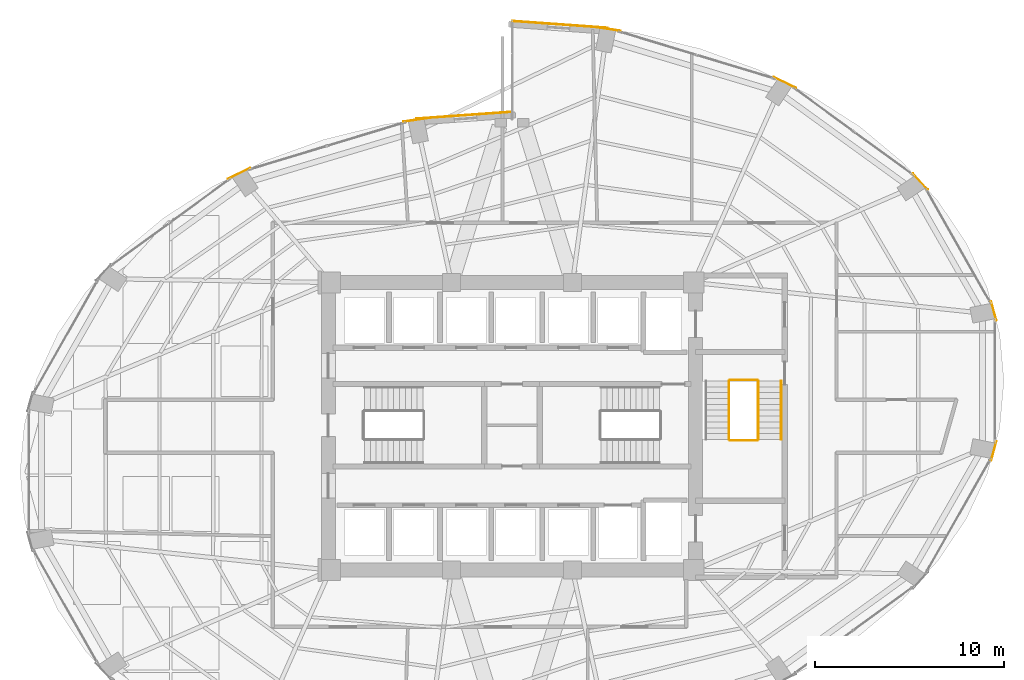
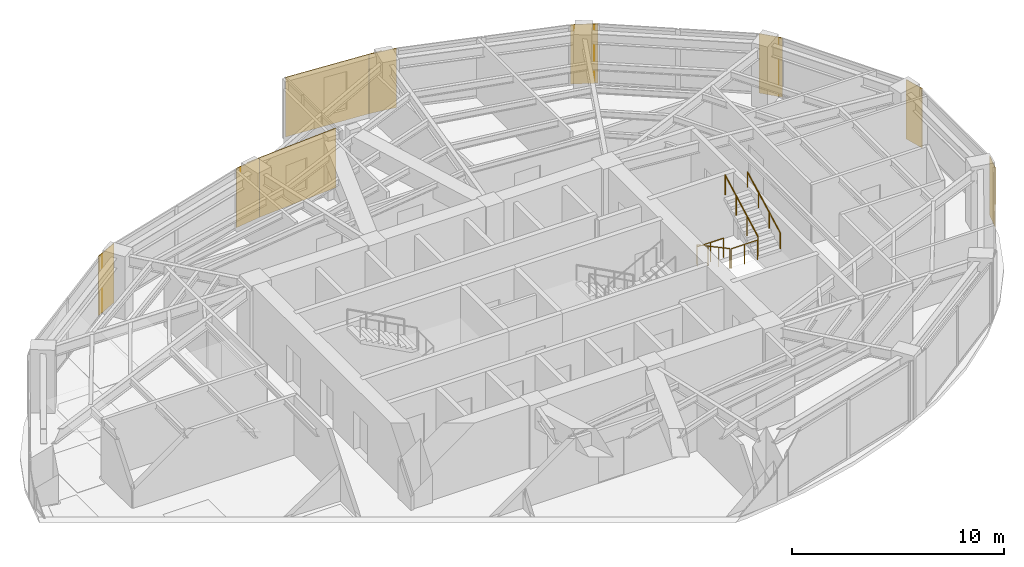
# One storey, part 24 of 24: 9 coverings, 5 railings.
"""IFC4 building model written with IfcOpenShell, lengths in metres."""

from ifc_helpers import new_model, si_unit, direction, frame, origin, origin_2d, place, context, subcontext, project, spatial, rectangle, circle, extrude, material, layer, layer_set, type_object, element, save


model = new_model("IFC4")

# Units and contexts
model_context = context("Model", 3, precision=1e-05, world=origin(), true_north=direction((0.0, 1.0)))
body_context = subcontext(model_context, "Body", "Model", "MODEL_VIEW")
ifc_project = project(units=[si_unit("LENGTHUNIT", "METRE"), si_unit("AREAUNIT", "SQUARE_METRE"), si_unit("VOLUMEUNIT", "CUBIC_METRE"), si_unit("PLANEANGLEUNIT", "RADIAN"), si_unit("MASSUNIT", "GRAM", prefix="KILO")], contexts=[model_context])

# Site, building, storey
site_placement = place(None, origin())
site = spatial("IfcSite", under=ifc_project, at=site_placement, CompositionType="ELEMENT")
building_placement = place(site_placement, origin())
building = spatial("IfcBuilding", under=site, at=building_placement, Name="Lazwardi Medical Tower", CompositionType="ELEMENT")
storey_placement = place(building_placement, frame((0.0, 0.0, 103.632080078125)))
storey = spatial("IfcBuildingStorey", under=building, at=storey_placement, Name="L26", CompositionType="ELEMENT", Elevation=103.632080078125)

# Coverings
ifc_material_1 = material(Name="Anodised bronze aluminium cassette cladding", Category="aluminium")
ifc_layer_1 = layer(ifc_material_1, 0.030029296875)
ifc_layer_set_1 = layer_set([ifc_layer_1], Name="Anodised bronze aluminium cassette cladding")
covering_type_1 = type_object("IfcCoveringType", Name="COV-CLD-BRZ", PredefinedType="CLADDING", material=ifc_layer_set_1)
for number, where, z_axis, x_axis, name in (
    (1, (61.459716796875, 26.700927734375, 0.0), (0.0, 0.0, 1.0), (0.262696108164, 0.964878621774, 0.0), "L26 Mega-column bronze cassette cover M04"),
    (2, (61.459716796875, 34.09912109375, 0.0), (0.0, 0.0, 1.0), (-0.262696108164, 0.964878621774, 0.0), "L26 Mega-column bronze cassette cover M05"),
):
    element("IfcCovering", number, at=place(storey_placement, frame(where, z_axis=z_axis, x_axis=x_axis)), inside=storey, type_object=covering_type_1, Name=name, PredefinedType="CLADDING", context=body_context, shape_type="SweptSolid", body=[
        extrude(rectangle(XDim=1.04296875, YDim=0.030029296875, at=origin_2d()), origin(), (0.0, 0.0, 1.0), 3.427978515625),
    ])
covering_1_placement = place(storey_placement, frame((57.583740234375, 40.93408203125, 0.0), z_axis=(0.0, 0.0, 1.0), x_axis=(-0.674925949214, 0.737885467453, 0.0)))
element("IfcCovering", 3, at=covering_1_placement, inside=storey, type_object=covering_type_1, Name="L26 Mega-column bronze cassette cover M06", PredefinedType="CLADDING", context=body_context, shape_type="SweptSolid", body=[
    extrude(rectangle(XDim=1.15625, YDim=0.030029296875, at=origin_2d()), origin(), (0.0, 0.0, 1.0), 3.427978515625),
])
covering_2_placement = place(storey_placement, frame((50.421875, 46.16552734375, 0.0), z_axis=(0.0, 0.0, 1.0), x_axis=(-0.898679250201, 0.438606435495, 0.0)))
element("IfcCovering", 4, at=covering_2_placement, inside=storey, type_object=covering_type_1, Name="L26 Mega-column bronze cassette cover M07", PredefinedType="CLADDING", context=body_context, shape_type="SweptSolid", body=[
    extrude(rectangle(XDim=1.2998046875, YDim=0.030029296875, at=origin_2d()), origin(), (0.0, 0.0, 1.0), 3.427978515625),
])
for number, where, z_axis, x_axis, name in (
    (5, (41.064208984375, 48.99658203125, 0.0), (0.0, 0.0, 1.0), (-0.989609019093, 0.143784523955, 0.0), "L26 Mega-column bronze cassette cover M08"),
    (6, (30.935791015625, 44.19677734375, 0.0), (0.0, 0.0, 1.0), (-0.989609019093, -0.143784523955, 0.0), "L26 Mega-column bronze cassette cover M09"),
):
    element("IfcCovering", number, at=place(storey_placement, frame(where, z_axis=z_axis, x_axis=x_axis)), inside=storey, type_object=covering_type_1, Name=name, PredefinedType="CLADDING", context=body_context, shape_type="SweptSolid", body=[
        extrude(rectangle(XDim=1.392333984375, YDim=0.030029296875, at=origin_2d()), origin(), (0.0, 0.0, 1.0), 3.427978515625),
    ])
covering_3_placement = place(storey_placement, frame((21.578125, 41.365478515625, 0.0), z_axis=(0.0, 0.0, 1.0), x_axis=(-0.898679250201, -0.438606435495, 0.0)))
element("IfcCovering", 7, at=covering_3_placement, inside=storey, type_object=covering_type_1, Name="L26 Mega-column bronze cassette cover M10", PredefinedType="CLADDING", context=body_context, shape_type="SweptSolid", body=[
    extrude(rectangle(XDim=1.2998046875, YDim=0.030029296875, at=origin_2d()), origin(), (0.0, 0.0, 1.0), 3.427978515625),
])
ifc_material_2 = material(Name="Turquoise glazed ceramic tilework cladding", Category="masonry")
ifc_layer_2 = layer(ifc_material_2, 0.034912109375)
ifc_layer_set_2 = layer_set([ifc_layer_2], Name="Turquoise glazed ceramic tilework cladding")
covering_type_2 = type_object("IfcCoveringType", Name="COV-CLD-TRQ", PredefinedType="CLADDING", material=ifc_layer_set_2)
covering_4_placement = place(storey_placement, frame((38.533203125, 49.23388671875, 0.0), z_axis=(0.0, 0.0, 1.0), x_axis=(-0.997431665415, 0.07162452672, 0.0)))
element("IfcCovering", 8, at=covering_4_placement, inside=storey, type_object=covering_type_2, Name="L26 Turquoise glazed ceramic tilework cladding", PredefinedType="CLADDING", context=body_context, shape_type="SweptSolid", body=[
    extrude(rectangle(XDim=5.05419921875, YDim=0.034912109375, at=origin_2d()), origin(), (0.0, 0.0, 1.0), 3.427978515625),
])
covering_5_placement = place(storey_placement, frame((33.466552734375, 44.43408203125, 0.0), z_axis=(0.0, 0.0, 1.0), x_axis=(-0.997431165357, -0.071631490105, 0.0)))
element("IfcCovering", 9, at=covering_5_placement, inside=storey, type_object=covering_type_2, Name="L26 Turquoise glazed ceramic tilework cladding", PredefinedType="CLADDING", context=body_context, shape_type="SweptSolid", body=[
    extrude(rectangle(XDim=5.0537109375, YDim=0.034912109375, at=origin_2d()), origin(), (0.0, 0.0, 1.0), 3.427978515625),
])

# Railings
ifc_material_3 = material(Name="Stainless steel Grade 316", Category="steel")
railing_type_1 = type_object("IfcRailingType", Name="RLG-GRD-1150", PredefinedType="GUARDRAIL", material=ifc_material_3)
railing_1_placement = place(storey_placement, frame((47.469970703125, 30.39990234375, 0.165771484375)))
element("IfcRailing", 10, at=railing_1_placement, inside=storey, type_object=railing_type_1, Name="L26 ST3 stair guard 1", PredefinedType="GUARDRAIL", context=body_context, shape_type="SweptSolid", body=[
    extrude(circle(Radius=0.02392578125, at=origin_2d()), frame((0.0, 0.0, 1.1259765625), z_axis=(0.0, -0.881767849116, 0.471683644262), x_axis=(1.0, 0.0, 0.0)), (0.0, 0.0, 1.0), 3.515380859375),
    extrude(circle(Radius=0.02099609375, at=origin_2d()), origin(), (0.0, 0.0, 1.0), 1.099853515625),
    extrude(circle(Radius=0.02099609375, at=origin_2d()), frame((0.0, -1.033203125, 0.552734375)), (0.0, 0.0, 1.0), 1.099853515625),
    extrude(circle(Radius=0.02099609375, at=origin_2d()), frame((0.0, -2.066650390625, 1.10546875)), (0.0, 0.0, 1.0), 1.099853515625),
    extrude(circle(Radius=0.02099609375, at=origin_2d()), frame((0.0, -3.099853515625, 1.658203125)), (0.0, 0.0, 1.0), 1.099853515625),
])
railing_2_placement = place(storey_placement, frame((47.52001953125, 27.25, 1.823974609375)))
element("IfcRailing", 11, at=railing_2_placement, inside=storey, type_object=railing_type_1, Name="L26 ST3 stair guard 2", PredefinedType="GUARDRAIL", context=body_context, shape_type="SweptSolid", body=[
    extrude(circle(Radius=0.02392578125, at=origin_2d()), frame((0.0, 0.0, 1.1259765625), z_axis=(1.0, 0.0, 0.0), x_axis=(0.0, 1.0, 0.0)), (0.0, 0.0, 1.0), 1.43994140625),
    extrude(circle(Radius=0.02099609375, at=origin_2d()), origin(), (0.0, 0.0, 1.0), 1.099853515625),
    extrude(circle(Radius=0.02099609375, at=origin_2d()), frame((0.719970703125, 0.0, 0.0)), (0.0, 0.0, 1.0), 1.099853515625),
    extrude(circle(Radius=0.02099609375, at=origin_2d()), frame((1.43994140625, 0.0, 0.0)), (0.0, 0.0, 1.0), 1.099853515625),
])
railing_3_placement = place(storey_placement, frame((49.010009765625, 27.300048828125, 1.98974609375)))
element("IfcRailing", 12, at=railing_3_placement, inside=storey, type_object=railing_type_1, Name="L26 ST3 stair guard 3", PredefinedType="GUARDRAIL", context=body_context, shape_type="SweptSolid", body=[
    extrude(circle(Radius=0.02392578125, at=origin_2d()), frame((0.0, 0.0, 1.1259765625), z_axis=(0.0, 0.881767849116, 0.471683644262), x_axis=(-1.0, 0.0, 0.0)), (0.0, 0.0, 1.0), 3.515380859375),
    extrude(circle(Radius=0.02099609375, at=origin_2d()), origin(), (0.0, 0.0, 1.0), 1.099853515625),
    extrude(circle(Radius=0.02099609375, at=origin_2d()), frame((0.0, 1.033203125, 0.552734375)), (0.0, 0.0, 1.0), 1.099853515625),
    extrude(circle(Radius=0.02099609375, at=origin_2d()), frame((0.0, 2.066650390625, 1.10546875)), (0.0, 0.0, 1.0), 1.099853515625),
    extrude(circle(Radius=0.02099609375, at=origin_2d()), frame((0.0, 3.099853515625, 1.658203125)), (0.0, 0.0, 1.0), 1.099853515625),
])
railing_4_placement = place(storey_placement, frame((47.52001953125, 30.449951171875, 0.0)))
element("IfcRailing", 13, at=railing_4_placement, inside=storey, type_object=railing_type_1, Name="L26 ST3 stair guard 4", PredefinedType="GUARDRAIL", context=body_context, shape_type="SweptSolid", body=[
    extrude(circle(Radius=0.02392578125, at=origin_2d()), frame((0.0, 0.0, 1.1259765625), z_axis=(1.0, 0.0, 0.0), x_axis=(0.0, 1.0, 0.0)), (0.0, 0.0, 1.0), 1.43994140625),
    extrude(circle(Radius=0.02099609375, at=origin_2d()), origin(), (0.0, 0.0, 1.0), 1.099853515625),
    extrude(circle(Radius=0.02099609375, at=origin_2d()), frame((0.719970703125, 0.0, 0.0)), (0.0, 0.0, 1.0), 1.099853515625),
    extrude(circle(Radius=0.02099609375, at=origin_2d()), frame((1.43994140625, 0.0, 0.0)), (0.0, 0.0, 1.0), 1.099853515625),
])
railing_type_2 = type_object("IfcRailingType", Name="RLG-HND-920", PredefinedType="HANDRAIL", material=ifc_material_3)
railing_5_placement = place(storey_placement, frame((50.22998046875, 27.300048828125, 1.98974609375)))
element("IfcRailing", 14, at=railing_5_placement, inside=storey, type_object=railing_type_2, Name="L26 ST3 stair handrail 2", PredefinedType="HANDRAIL", context=body_context, shape_type="SweptSolid", body=[
    extrude(circle(Radius=0.02392578125, at=origin_2d()), frame((0.0, 0.0, 0.8857421875), z_axis=(0.0, 0.881767849116, 0.471683644262), x_axis=(-1.0, 0.0, 0.0)), (0.0, 0.0, 1.0), 3.515380859375),
    extrude(circle(Radius=0.02099609375, at=origin_2d()), origin(), (0.0, 0.0, 1.0), 0.85986328125),
    extrude(circle(Radius=0.02099609375, at=origin_2d()), frame((0.0, 1.033203125, 0.552734375)), (0.0, 0.0, 1.0), 0.85986328125),
    extrude(circle(Radius=0.02099609375, at=origin_2d()), frame((0.0, 2.066650390625, 1.10546875)), (0.0, 0.0, 1.0), 0.85986328125),
    extrude(circle(Radius=0.02099609375, at=origin_2d()), frame((0.0, 3.099853515625, 1.658203125)), (0.0, 0.0, 1.0), 0.85986328125),
])

save(model, "model.ifc")
